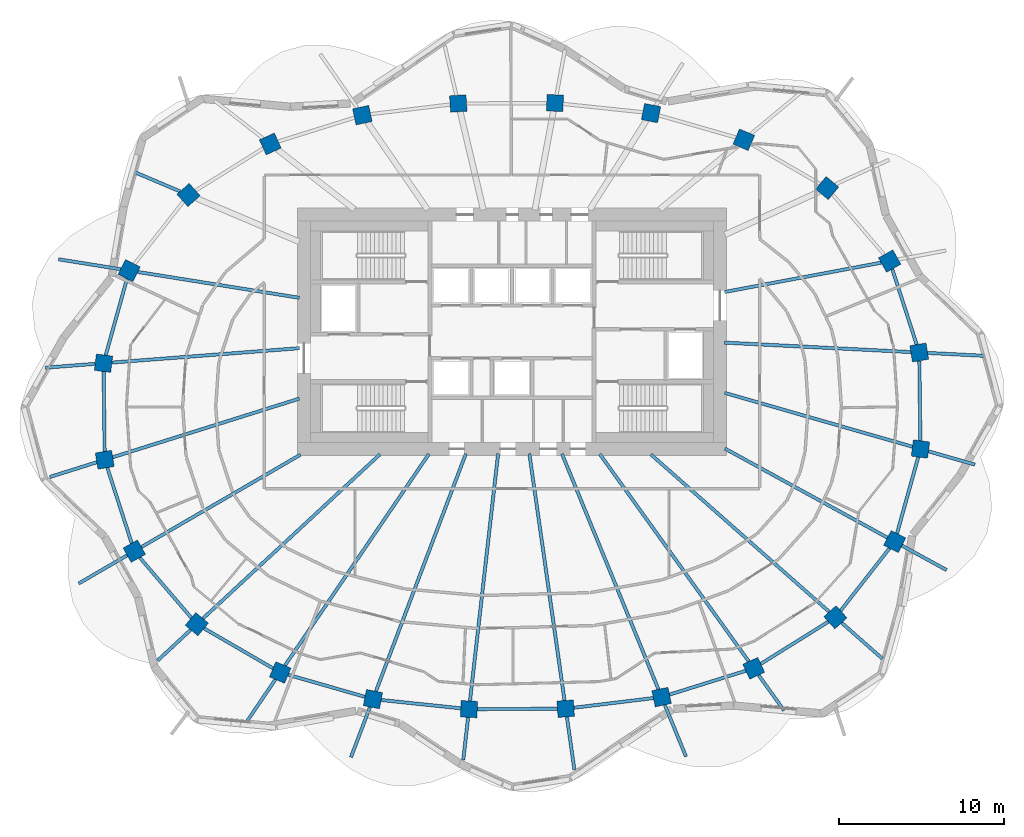
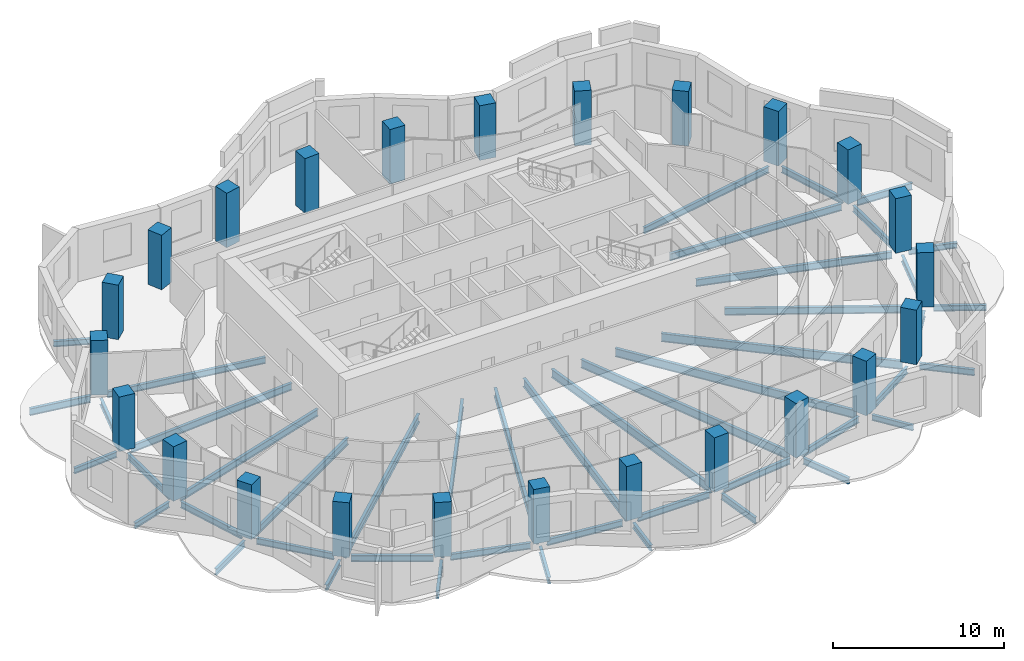
# One storey, part 1 of 11: 47 beams, 24 columns.
"""IFC4 building model written with IfcOpenShell, lengths in metres."""

from ifc_helpers import new_model, si_unit, direction, frame, origin, origin_2d, place, context, subcontext, project, spatial, rectangle, i_section, extrude, material, material_profile, profile_set, type_object, element, save


model = new_model("IFC4")

# Units and contexts
model_context = context("Model", 3, precision=1e-05, world=origin(), true_north=direction((0.0, 1.0)))
body_context = subcontext(model_context, "Body", "Model", "MODEL_VIEW")
ifc_project = project(units=[si_unit("LENGTHUNIT", "METRE"), si_unit("AREAUNIT", "SQUARE_METRE"), si_unit("VOLUMEUNIT", "CUBIC_METRE"), si_unit("PLANEANGLEUNIT", "RADIAN"), si_unit("MASSUNIT", "GRAM", prefix="KILO")], contexts=[model_context])

# Site, building, storey
site_placement = place(None, origin())
site = spatial("IfcSite", under=ifc_project, at=site_placement, CompositionType="ELEMENT")
building_placement = place(site_placement, origin())
building = spatial("IfcBuilding", under=site, at=building_placement, Name="Rubra Terraces Tower", CompositionType="ELEMENT")
storey_placement = place(building_placement, frame((0.0, 0.0, 185.699951171875)))
storey = spatial("IfcBuildingStorey", under=building, at=storey_placement, Name="L45", CompositionType="ELEMENT", Elevation=185.699951171875)

# Columns
ifc_material_1 = material(Name="Concrete C50", Category="concrete")
ifc_material_profile_1 = material_profile(ifc_material_1, rectangle(XDim=1.0, YDim=1.0, at=origin_2d()), Name="RC 1000x1000")
ifc_profile_set_1 = profile_set([ifc_material_profile_1], Name="Concrete C50")
column_type = type_object("IfcColumnType", Name="RING COLUMN RC 1000x1000 C50", PredefinedType="COLUMN", material=ifc_profile_set_1)
for number, where, z_axis, x_axis, name in (
    (1, (24.6689453125, 3.248046875, 0.0), (0.0, 0.0, 1.0), (-0.161559167715, 0.986863027642, 0.0), "column-L45-ring-01"),
    (2, (22.87890625, 8.787109375, 0.0), (0.0, 0.0, 1.0), (-0.48852601316, 0.872549330678, 0.0), "column-L45-ring-02"),
    (3, (19.092041015625, 13.208984375, 0.0), (0.0, 0.0, 1.0), (-0.76886986222, 0.63940529789, 0.0), "column-L45-ring-03"),
    (4, (14.0419921875, 16.135986328125, 0.0), (0.0, 0.0, 1.0), (-0.920167856842, 0.391524092789, 0.0), "column-L45-ring-04"),
    (5, (8.422119140625, 17.7490234375, 0.0), (0.0, 0.0, 1.0), (-0.981654668733, 0.19066754143, 0.0), "column-L45-ring-05"),
    (6, (2.60205078125, 18.35791015625, 0.0), (0.0, 0.0, 1.0), (-0.998764256028, 0.049698700995, 0.0), "column-L45-ring-06"),
    (7, (-3.25390625, 18.330078125, 0.0), (0.0, 0.0, 1.0), (-0.998031548759, -0.062713855578, 0.0), "column-L45-ring-07"),
    (8, (-9.06298828125, 17.625, 0.0), (0.0, 0.0, 1.0), (-0.977652674797, -0.210226657352, 0.0), "column-L45-ring-08"),
    (9, (-14.64306640625, 15.881103515625, 0.0), (0.0, 0.0, 1.0), (-0.908778580451, -0.417278673927, 0.0), "column-L45-ring-09"),
    (10, (-19.593017578125, 12.7900390625, 0.0), (0.0, 0.0, 1.0), (-0.744021317198, -0.668155879683, 0.0), "column-L45-ring-10"),
    (11, (-23.18505859375, 8.2099609375, 0.0), (0.0, 0.0, 1.0), (-0.451027931402, -0.892509834733, 0.0), "column-L45-ring-11"),
    (12, (-24.742919921875, 2.59912109375, 0.0), (0.0, 0.0, 1.0), (-0.128443684554, -0.991716804283, 0.0), "column-L45-ring-12"),
    (13, (-24.6689453125, -3.248046875, 0.0), (0.0, 0.0, 1.0), (0.161559167715, -0.986863027642, 0.0), "column-L45-ring-13"),
    (14, (-22.87890625, -8.787109375, 0.0), (0.0, 0.0, 1.0), (0.48852601316, -0.872549330678, 0.0), "column-L45-ring-14"),
    (15, (-19.092041015625, -13.208984375, 0.0), (0.0, 0.0, 1.0), (0.76886986222, -0.63940529789, 0.0), "column-L45-ring-15"),
    (16, (-14.0419921875, -16.135986328125, 0.0), (0.0, 0.0, 1.0), (0.920167856842, -0.391524092789, 0.0), "column-L45-ring-16"),
    (17, (-8.422119140625, -17.7490234375, 0.0), (0.0, 0.0, 1.0), (0.981654668733, -0.19066754143, 0.0), "column-L45-ring-17"),
    (18, (-2.60205078125, -18.35791015625, 0.0), (0.0, 0.0, 1.0), (0.998764256028, -0.049698700995, 0.0), "column-L45-ring-18"),
    (19, (3.25390625, -18.330078125, 0.0), (0.0, 0.0, 1.0), (0.998031548759, 0.062713855578, 0.0), "column-L45-ring-19"),
    (20, (9.06298828125, -17.625, 0.0), (0.0, 0.0, 1.0), (0.977652674797, 0.210226657352, 0.0), "column-L45-ring-20"),
    (21, (14.64306640625, -15.881103515625, 0.0), (0.0, 0.0, 1.0), (0.908778580451, 0.417278673927, 0.0), "column-L45-ring-21"),
    (22, (19.593017578125, -12.7900390625, 0.0), (0.0, 0.0, 1.0), (0.744021317198, 0.668155879683, 0.0), "column-L45-ring-22"),
    (23, (23.18505859375, -8.2099609375, 0.0), (0.0, 0.0, 1.0), (0.451027931402, 0.892509834733, 0.0), "column-L45-ring-23"),
    (24, (24.742919921875, -2.59912109375, 0.0), (0.0, 0.0, 1.0), (0.128443684554, 0.991716804283, 0.0), "column-L45-ring-24"),
):
    element("IfcColumn", number, at=place(storey_placement, frame(where, z_axis=z_axis, x_axis=x_axis)), inside=storey, type_object=column_type, Name=name, PredefinedType="COLUMN", context=body_context, shape_type="SweptSolid", body=[
        extrude(rectangle(XDim=1.0, YDim=1.0, at=origin_2d()), origin(), (0.0, 0.0, 1.0), 3.900146484375),
    ])

# Beams
ifc_material_2 = material(Name="Steel Q355B", Category="steel")
ifc_material_profile_2 = material_profile(ifc_material_2, i_section(OverallWidth=0.199951171875, OverallDepth=0.39990234375, WebThickness=0.008056640625, FlangeThickness=0.012939453125, at=origin_2d()), Name="HN 400x200x8x13")
ifc_profile_set_2 = profile_set([ifc_material_profile_2], Name="Steel Q355B")
beam_type_1 = type_object("IfcBeamType", Name="CANTILEVER BEAM HN 400x200x8x13", PredefinedType="BEAM", material=ifc_profile_set_2)
beam_1_placement = place(storey_placement, frame((-20.10205078125, 13.0048828125, -0.39990234375), z_axis=(-0.920868185487, 0.389874062946, 0.0), x_axis=(-0.389874062946, -0.920868185487, 0.0)))
element("IfcBeam", 25, at=beam_1_placement, inside=storey, type_object=beam_type_1, Name="beam-L45-cant-10", PredefinedType="BEAM", context=body_context, shape_type="SweptSolid", body=[
    extrude(i_section(OverallWidth=0.199951171875, OverallDepth=0.39990234375, WebThickness=0.008056640625, FlangeThickness=0.012939453125, at=origin_2d()), origin(), (0.0, 0.0, 1.0), 2.9599609375),
])
beam_2_placement = place(storey_placement, frame((-25.251953125, 2.56005859375, -0.39990234375), z_axis=(-0.997072601127, -0.076460630923, 0.0), x_axis=(0.076460630923, -0.997072601127, 0.0)))
element("IfcBeam", 26, at=beam_2_placement, inside=storey, type_object=beam_type_1, Name="beam-L45-cant-12", PredefinedType="BEAM", context=body_context, shape_type="SweptSolid", body=[
    extrude(i_section(OverallWidth=0.199951171875, OverallDepth=0.39990234375, WebThickness=0.008056640625, FlangeThickness=0.012939453125, at=origin_2d()), origin(), (0.0, 0.0, 1.0), 3.0078125),
])
beam_3_placement = place(storey_placement, frame((-25.15087890625, -3.39892578125, -0.39990234375), z_axis=(-0.953969672144, -0.299903092065, 0.0), x_axis=(0.299903092065, -0.953969672144, 0.0)))
element("IfcBeam", 27, at=beam_3_placement, inside=storey, type_object=beam_type_1, Name="beam-L45-cant-13", PredefinedType="BEAM", context=body_context, shape_type="SweptSolid", body=[
    extrude(i_section(OverallWidth=0.199951171875, OverallDepth=0.39990234375, WebThickness=0.008056640625, FlangeThickness=0.012939453125, at=origin_2d()), origin(), (0.0, 0.0, 1.0), 2.987548828125),
])
beam_4_placement = place(storey_placement, frame((-19.4619140625, -13.552001953125, -0.39990234375), z_axis=(-0.733087511933, -0.680134324856, 0.0), x_axis=(0.680134324856, -0.733087511933, 0.0)))
element("IfcBeam", 28, at=beam_4_placement, inside=storey, type_object=beam_type_1, Name="beam-L45-cant-15", PredefinedType="BEAM", context=body_context, shape_type="SweptSolid", body=[
    extrude(i_section(OverallWidth=0.199951171875, OverallDepth=0.39990234375, WebThickness=0.008056640625, FlangeThickness=0.012939453125, at=origin_2d()), origin(), (0.0, 0.0, 1.0), 2.72021484375),
])
beam_5_placement = place(storey_placement, frame((-2.658935546875, -18.85595703125, -0.39990234375), z_axis=(-0.112971150219, -0.993598268526, 0.0), x_axis=(0.993598268526, -0.112971150219, 0.0)))
element("IfcBeam", 29, at=beam_5_placement, inside=storey, type_object=beam_type_1, Name="beam-L45-cant-18", PredefinedType="BEAM", context=body_context, shape_type="SweptSolid", body=[
    extrude(i_section(OverallWidth=0.199951171875, OverallDepth=0.39990234375, WebThickness=0.008056640625, FlangeThickness=0.012939453125, at=origin_2d()), origin(), (0.0, 0.0, 1.0), 2.584716796875),
])
beam_6_placement = place(storey_placement, frame((14.93994140625, -16.294921875, -0.39990234375), z_axis=(0.583494905514, -0.812116799013, 0.0), x_axis=(0.812116799013, 0.583494905514, 0.0)))
element("IfcBeam", 30, at=beam_6_placement, inside=storey, type_object=beam_type_1, Name="beam-L45-cant-21", PredefinedType="BEAM", context=body_context, shape_type="SweptSolid", body=[
    extrude(i_section(OverallWidth=0.199951171875, OverallDepth=0.39990234375, WebThickness=0.008056640625, FlangeThickness=0.012939453125, at=origin_2d()), origin(), (0.0, 0.0, 1.0), 2.6376953125),
])
beam_7_placement = place(storey_placement, frame((23.6240234375, -8.449951171875, -0.39990234375), z_axis=(0.876753057926, -0.480940823197, 0.0), x_axis=(0.480940823197, 0.876753057926, 0.0)))
element("IfcBeam", 31, at=beam_7_placement, inside=storey, type_object=beam_type_1, Name="beam-L45-cant-23", PredefinedType="BEAM", context=body_context, shape_type="SweptSolid", body=[
    extrude(i_section(OverallWidth=0.199951171875, OverallDepth=0.39990234375, WebThickness=0.008056640625, FlangeThickness=0.012939453125, at=origin_2d()), origin(), (0.0, 0.0, 1.0), 3.0771484375),
])
beam_8_placement = place(storey_placement, frame((25.22900390625, -2.738037109375, -0.39990234375), z_axis=(0.961211560692, -0.275812138226, 0.0), x_axis=(0.275812138226, 0.961211560692, 0.0)))
element("IfcBeam", 32, at=beam_8_placement, inside=storey, type_object=beam_type_1, Name="beam-L45-cant-24", PredefinedType="BEAM", context=body_context, shape_type="SweptSolid", body=[
    extrude(i_section(OverallWidth=0.199951171875, OverallDepth=0.39990234375, WebThickness=0.008056640625, FlangeThickness=0.012939453125, at=origin_2d()), origin(), (0.0, 0.0, 1.0), 2.925537109375),
])
ifc_material_profile_3 = material_profile(ifc_material_2, i_section(OverallWidth=0.198974609375, OverallDepth=0.446044921875, WebThickness=0.008056640625, FlangeThickness=0.011962890625, at=origin_2d()), Name="HN 446x199x8x12")
ifc_profile_set_3 = profile_set([ifc_material_profile_3], Name="Steel Q355B")
beam_type_2 = type_object("IfcBeamType", Name="CANTILEVER BEAM HN 446x199x8x12", PredefinedType="BEAM", material=ifc_profile_set_3)
beam_9_placement = place(storey_placement, frame((-23.31103515625, -9.0380859375, -0.4228515625), z_axis=(-0.864731547831, -0.50223435783, 0.0), x_axis=(0.50223435783, -0.864731547831, 0.0)))
element("IfcBeam", 33, at=beam_9_placement, inside=storey, type_object=beam_type_2, Name="beam-L45-cant-14", PredefinedType="BEAM", context=body_context, shape_type="SweptSolid", body=[
    extrude(i_section(OverallWidth=0.198974609375, OverallDepth=0.446044921875, WebThickness=0.008056640625, FlangeThickness=0.011962890625, at=origin_2d()), origin(), (0.0, 0.0, 1.0), 3.396484375),
])
beam_10_placement = place(storey_placement, frame((-14.3291015625, -16.556884765625, -0.4228515625), z_axis=(-0.562356236062, -0.826895074215, 0.0), x_axis=(0.826895074215, -0.562356236062, 0.0)))
element("IfcBeam", 34, at=beam_10_placement, inside=storey, type_object=beam_type_2, Name="beam-L45-cant-16", PredefinedType="BEAM", context=body_context, shape_type="SweptSolid", body=[
    extrude(i_section(OverallWidth=0.198974609375, OverallDepth=0.446044921875, WebThickness=0.008056640625, FlangeThickness=0.011962890625, at=origin_2d()), origin(), (0.0, 0.0, 1.0), 3.3232421875),
])
beam_11_placement = place(storey_placement, frame((-8.60205078125, -18.222900390625, -0.4228515625), z_axis=(-0.353886787497, -0.935288266597, 0.0), x_axis=(0.935288266597, -0.353886787497, 0.0)))
element("IfcBeam", 35, at=beam_11_placement, inside=storey, type_object=beam_type_2, Name="beam-L45-cant-17", PredefinedType="BEAM", context=body_context, shape_type="SweptSolid", body=[
    extrude(i_section(OverallWidth=0.198974609375, OverallDepth=0.446044921875, WebThickness=0.008056640625, FlangeThickness=0.011962890625, at=origin_2d()), origin(), (0.0, 0.0, 1.0), 3.260986328125),
])
beam_12_placement = place(storey_placement, frame((3.324951171875, -18.826904296875, -0.4228515625), z_axis=(0.141017135848, -0.990007155225, 0.0), x_axis=(0.990007155225, 0.141017135848, 0.0)))
element("IfcBeam", 36, at=beam_12_placement, inside=storey, type_object=beam_type_2, Name="beam-L45-cant-19", PredefinedType="BEAM", context=body_context, shape_type="SweptSolid", body=[
    extrude(i_section(OverallWidth=0.198974609375, OverallDepth=0.446044921875, WebThickness=0.008056640625, FlangeThickness=0.011962890625, at=origin_2d()), origin(), (0.0, 0.0, 1.0), 3.21337890625),
])
beam_13_placement = place(storey_placement, frame((9.256103515625, -18.094970703125, -0.4228515625), z_axis=(0.378957804719, -0.925413951831, 0.0), x_axis=(0.925413951831, 0.378957804719, 0.0)))
element("IfcBeam", 37, at=beam_13_placement, inside=storey, type_object=beam_type_2, Name="beam-L45-cant-20", PredefinedType="BEAM", context=body_context, shape_type="SweptSolid", body=[
    extrude(i_section(OverallWidth=0.198974609375, OverallDepth=0.446044921875, WebThickness=0.008056640625, FlangeThickness=0.011962890625, at=origin_2d()), origin(), (0.0, 0.0, 1.0), 3.393310546875),
])
beam_14_placement = place(storey_placement, frame((19.969970703125, -13.123046875, -0.4228515625), z_axis=(0.749902745466, -0.661548087702, 0.0), x_axis=(0.661548087702, 0.749902745466, 0.0)))
element("IfcBeam", 38, at=beam_14_placement, inside=storey, type_object=beam_type_2, Name="beam-L45-cant-22", PredefinedType="BEAM", context=body_context, shape_type="SweptSolid", body=[
    extrude(i_section(OverallWidth=0.198974609375, OverallDepth=0.446044921875, WebThickness=0.008056640625, FlangeThickness=0.011962890625, at=origin_2d()), origin(), (0.0, 0.0, 1.0), 3.293701171875),
])
ifc_material_profile_4 = material_profile(ifc_material_2, i_section(OverallWidth=0.198974609375, OverallDepth=0.49609375, WebThickness=0.009033203125, FlangeThickness=0.013916015625, at=origin_2d()), Name="HN 496x199x9x14")
ifc_profile_set_4 = profile_set([ifc_material_profile_4], Name="Steel Q355B")
beam_type_3 = type_object("IfcBeamType", Name="CANTILEVER BEAM HN 496x199x9x14", PredefinedType="BEAM", material=ifc_profile_set_4)
beam_15_placement = place(storey_placement, frame((25.179931640625, 3.221923828125, -0.447998046875), z_axis=(0.998713760082, -0.050703307804, 0.0), x_axis=(0.050703307804, 0.998713760082, 0.0)))
element("IfcBeam", 39, at=beam_15_placement, inside=storey, type_object=beam_type_3, Name="beam-L45-cant-01", PredefinedType="BEAM", context=body_context, shape_type="SweptSolid", body=[
    extrude(i_section(OverallWidth=0.198974609375, OverallDepth=0.49609375, WebThickness=0.009033203125, FlangeThickness=0.013916015625, at=origin_2d()), origin(), (0.0, 0.0, 1.0), 3.625732421875),
])
beam_16_placement = place(storey_placement, frame((-23.702880859375, 8.29296875, -0.447998046875), z_axis=(-0.98745581053, 0.157895605548, 0.0), x_axis=(-0.157895605548, -0.98745581053, 0.0)))
element("IfcBeam", 40, at=beam_16_placement, inside=storey, type_object=beam_type_3, Name="beam-L45-cant-11", PredefinedType="BEAM", context=body_context, shape_type="SweptSolid", body=[
    extrude(i_section(OverallWidth=0.198974609375, OverallDepth=0.49609375, WebThickness=0.009033203125, FlangeThickness=0.013916015625, at=origin_2d()), origin(), (0.0, 0.0, 1.0), 3.81298828125),
])
ifc_material_profile_5 = material_profile(ifc_material_2, i_section(OverallWidth=0.198974609375, OverallDepth=0.446044921875, WebThickness=0.008056640625, FlangeThickness=0.011962890625, at=origin_2d()), Name="HN 446x199x8x12")
ifc_profile_set_5 = profile_set([ifc_material_profile_5], Name="Steel Q355B")
beam_type_4 = type_object("IfcBeamType", Name="FLOOR BEAM HN 446x199x8x12", PredefinedType="BEAM", material=ifc_profile_set_5)
beam_17_placement = place(storey_placement, frame((22.360107421875, 8.68994140625, -0.4228515625), z_axis=(-0.982895681695, -0.18416318553, 0.0), x_axis=(0.18416318553, -0.982895681695, 0.0)))
element("IfcBeam", 41, at=beam_17_placement, inside=storey, type_object=beam_type_4, Name="beam-L45-floor-02", PredefinedType="BEAM", context=body_context, shape_type="SweptSolid", body=[
    extrude(i_section(OverallWidth=0.198974609375, OverallDepth=0.446044921875, WebThickness=0.008056640625, FlangeThickness=0.011962890625, at=origin_2d()), origin(), (0.0, 0.0, 1.0), 9.64306640625),
])
beam_18_placement = place(storey_placement, frame((-22.6669921875, 8.126953125, -0.4228515625), z_axis=(0.987435404133, -0.158023171289, 0.0), x_axis=(0.158023171289, 0.987435404133, 0.0)))
element("IfcBeam", 42, at=beam_18_placement, inside=storey, type_object=beam_type_4, Name="beam-L45-floor-11", PredefinedType="BEAM", context=body_context, shape_type="SweptSolid", body=[
    extrude(i_section(OverallWidth=0.198974609375, OverallDepth=0.446044921875, WebThickness=0.008056640625, FlangeThickness=0.011962890625, at=origin_2d()), origin(), (0.0, 0.0, 1.0), 9.909423828125),
])
ifc_material_profile_6 = material_profile(ifc_material_2, i_section(OverallWidth=0.198974609375, OverallDepth=0.49609375, WebThickness=0.009033203125, FlangeThickness=0.013916015625, at=origin_2d()), Name="HN 496x199x9x14")
ifc_profile_set_6 = profile_set([ifc_material_profile_6], Name="Steel Q355B")
beam_type_5 = type_object("IfcBeamType", Name="FLOOR BEAM HN 496x199x9x14", PredefinedType="BEAM", material=ifc_profile_set_6)
beam_19_placement = place(storey_placement, frame((24.157958984375, 3.27392578125, -0.447998046875), z_axis=(-0.998716228561, 0.050654662269, 0.0), x_axis=(-0.050654662269, -0.998716228561, 0.0)))
element("IfcBeam", 43, at=beam_19_placement, inside=storey, type_object=beam_type_5, Name="beam-L45-floor-01", PredefinedType="BEAM", context=body_context, shape_type="SweptSolid", body=[
    extrude(i_section(OverallWidth=0.198974609375, OverallDepth=0.49609375, WebThickness=0.009033203125, FlangeThickness=0.013916015625, at=origin_2d()), origin(), (0.0, 0.0, 1.0), 11.29248046875),
])
beam_20_placement = place(storey_placement, frame((-24.23388671875, 2.637939453125, -0.447998046875), z_axis=(0.997063306908, 0.076581734234, 0.0), x_axis=(-0.076581734234, 0.997063306908, 0.0)))
element("IfcBeam", 44, at=beam_20_placement, inside=storey, type_object=beam_type_5, Name="beam-L45-floor-12", PredefinedType="BEAM", context=body_context, shape_type="SweptSolid", body=[
    extrude(i_section(OverallWidth=0.198974609375, OverallDepth=0.49609375, WebThickness=0.009033203125, FlangeThickness=0.013916015625, at=origin_2d()), origin(), (0.0, 0.0, 1.0), 11.387451171875),
])
beam_21_placement = place(storey_placement, frame((-24.18701171875, -3.096923828125, -0.447998046875), z_axis=(0.954040699023, 0.299677067204, 0.0), x_axis=(-0.299677067204, 0.954040699023, 0.0)))
element("IfcBeam", 45, at=beam_21_placement, inside=storey, type_object=beam_type_5, Name="beam-L45-floor-13", PredefinedType="BEAM", context=body_context, shape_type="SweptSolid", body=[
    extrude(i_section(OverallWidth=0.198974609375, OverallDepth=0.49609375, WebThickness=0.009033203125, FlangeThickness=0.013916015625, at=origin_2d()), origin(), (0.0, 0.0, 1.0), 11.845458984375),
])
beam_22_placement = place(storey_placement, frame((-22.447021484375, -8.535888671875, -0.447998046875), z_axis=(0.864755491844, 0.502193129508, 0.0), x_axis=(-0.502193129508, 0.864755491844, 0.0)))
element("IfcBeam", 46, at=beam_22_placement, inside=storey, type_object=beam_type_5, Name="beam-L45-floor-14", PredefinedType="BEAM", context=body_context, shape_type="SweptSolid", body=[
    extrude(i_section(OverallWidth=0.198974609375, OverallDepth=0.49609375, WebThickness=0.009033203125, FlangeThickness=0.013916015625, at=origin_2d()), origin(), (0.0, 0.0, 1.0), 11.14306640625),
])
beam_23_placement = place(storey_placement, frame((22.74609375, -7.969970703125, -0.447998046875), z_axis=(-0.876862055903, 0.480742066932, 0.0), x_axis=(-0.480742066932, -0.876862055903, 0.0)))
element("IfcBeam", 47, at=beam_23_placement, inside=storey, type_object=beam_type_5, Name="beam-L45-floor-23", PredefinedType="BEAM", context=body_context, shape_type="SweptSolid", body=[
    extrude(i_section(OverallWidth=0.198974609375, OverallDepth=0.49609375, WebThickness=0.009033203125, FlangeThickness=0.013916015625, at=origin_2d()), origin(), (0.0, 0.0, 1.0), 11.234375),
])
beam_24_placement = place(storey_placement, frame((24.257080078125, -2.4599609375, -0.447998046875), z_axis=(-0.961215754667, 0.275797521707, 0.0), x_axis=(-0.275797521707, -0.961215754667, 0.0)))
element("IfcBeam", 48, at=beam_24_placement, inside=storey, type_object=beam_type_5, Name="beam-L45-floor-24", PredefinedType="BEAM", context=body_context, shape_type="SweptSolid", body=[
    extrude(i_section(OverallWidth=0.198974609375, OverallDepth=0.49609375, WebThickness=0.009033203125, FlangeThickness=0.013916015625, at=origin_2d()), origin(), (0.0, 0.0, 1.0), 11.830810546875),
])
ifc_material_profile_7 = material_profile(ifc_material_2, i_section(OverallWidth=0.198974609375, OverallDepth=0.595947265625, WebThickness=0.010009765625, FlangeThickness=0.014892578125, at=origin_2d()), Name="HN 596x199x10x15")
ifc_profile_set_7 = profile_set([ifc_material_profile_7], Name="Steel Q355B")
beam_type_6 = type_object("IfcBeamType", Name="FLOOR BEAM HN 596x199x10x15", PredefinedType="BEAM", material=ifc_profile_set_7)
beam_25_placement = place(storey_placement, frame((-18.721923828125, -12.865966796875, -0.498046875), z_axis=(0.733130458484, 0.680088031687, 0.0), x_axis=(-0.680088031687, 0.733130458484, 0.0)))
element("IfcBeam", 49, at=beam_25_placement, inside=storey, type_object=beam_type_6, Name="beam-L45-floor-15", PredefinedType="BEAM", context=body_context, shape_type="SweptSolid", body=[
    extrude(i_section(OverallWidth=0.198974609375, OverallDepth=0.595947265625, WebThickness=0.010009765625, FlangeThickness=0.014892578125, at=origin_2d()), origin(), (0.0, 0.0, 1.0), 14.62744140625),
])
beam_26_placement = place(storey_placement, frame((-13.7548828125, -15.715087890625, -0.498046875), z_axis=(0.562545242124, 0.826766503049, 0.0), x_axis=(-0.826766503049, 0.562545242124, 0.0)))
element("IfcBeam", 50, at=beam_26_placement, inside=storey, type_object=beam_type_6, Name="beam-L45-floor-16", PredefinedType="BEAM", context=body_context, shape_type="SweptSolid", body=[
    extrude(i_section(OverallWidth=0.198974609375, OverallDepth=0.595947265625, WebThickness=0.010009765625, FlangeThickness=0.014892578125, at=origin_2d()), origin(), (0.0, 0.0, 1.0), 15.499267578125),
])
beam_27_placement = place(storey_placement, frame((-8.241943359375, -17.27490234375, -0.498046875), z_axis=(0.353955134415, 0.93526240319, 0.0), x_axis=(-0.93526240319, 0.353955134415, 0.0)))
element("IfcBeam", 51, at=beam_27_placement, inside=storey, type_object=beam_type_6, Name="beam-L45-floor-17", PredefinedType="BEAM", context=body_context, shape_type="SweptSolid", body=[
    extrude(i_section(OverallWidth=0.198974609375, OverallDepth=0.595947265625, WebThickness=0.010009765625, FlangeThickness=0.014892578125, at=origin_2d()), origin(), (0.0, 0.0, 1.0), 15.3828125),
])
beam_28_placement = place(storey_placement, frame((-2.544921875, -17.860107421875, -0.498046875), z_axis=(0.113084825914, 0.993585337124, 0.0), x_axis=(-0.993585337124, 0.113084825914, 0.0)))
element("IfcBeam", 52, at=beam_28_placement, inside=storey, type_object=beam_type_6, Name="beam-L45-floor-18", PredefinedType="BEAM", context=body_context, shape_type="SweptSolid", body=[
    extrude(i_section(OverallWidth=0.198974609375, OverallDepth=0.595947265625, WebThickness=0.010009765625, FlangeThickness=0.014892578125, at=origin_2d()), origin(), (0.0, 0.0, 1.0), 15.07568359375),
])
beam_29_placement = place(storey_placement, frame((3.18310546875, -17.8330078125, -0.498046875), z_axis=(-0.141104514479, 0.989994705033, 0.0), x_axis=(-0.989994705033, -0.141104514479, 0.0)))
element("IfcBeam", 53, at=beam_29_placement, inside=storey, type_object=beam_type_6, Name="beam-L45-floor-19", PredefinedType="BEAM", context=body_context, shape_type="SweptSolid", body=[
    extrude(i_section(OverallWidth=0.198974609375, OverallDepth=0.595947265625, WebThickness=0.010009765625, FlangeThickness=0.014892578125, at=origin_2d()), origin(), (0.0, 0.0, 1.0), 15.10302734375),
])
beam_30_placement = place(storey_placement, frame((8.8701171875, -17.155029296875, -0.498046875), z_axis=(-0.379015131933, 0.925390474214, 0.0), x_axis=(-0.925390474214, -0.379015131933, 0.0)))
element("IfcBeam", 54, at=beam_30_placement, inside=storey, type_object=beam_type_6, Name="beam-L45-floor-20", PredefinedType="BEAM", context=body_context, shape_type="SweptSolid", body=[
    extrude(i_section(OverallWidth=0.198974609375, OverallDepth=0.595947265625, WebThickness=0.010009765625, FlangeThickness=0.014892578125, at=origin_2d()), origin(), (0.0, 0.0, 1.0), 15.416259765625),
])
beam_31_placement = place(storey_placement, frame((14.345947265625, -15.467041015625, -0.498046875), z_axis=(-0.583528740197, 0.812092488183, 0.0), x_axis=(-0.812092488183, -0.583528740197, 0.0)))
element("IfcBeam", 55, at=beam_31_placement, inside=storey, type_object=beam_type_6, Name="beam-L45-floor-21", PredefinedType="BEAM", context=body_context, shape_type="SweptSolid", body=[
    extrude(i_section(OverallWidth=0.198974609375, OverallDepth=0.595947265625, WebThickness=0.010009765625, FlangeThickness=0.014892578125, at=origin_2d()), origin(), (0.0, 0.0, 1.0), 15.47119140625),
])
beam_32_placement = place(storey_placement, frame((19.216064453125, -12.45703125, -0.498046875), z_axis=(-0.749823025288, 0.661638444128, 0.0), x_axis=(-0.661638444128, -0.749823025288, 0.0)))
element("IfcBeam", 56, at=beam_32_placement, inside=storey, type_object=beam_type_6, Name="beam-L45-floor-22", PredefinedType="BEAM", context=body_context, shape_type="SweptSolid", body=[
    extrude(i_section(OverallWidth=0.198974609375, OverallDepth=0.595947265625, WebThickness=0.010009765625, FlangeThickness=0.014892578125, at=origin_2d()), origin(), (0.0, 0.0, 1.0), 14.412841796875),
])
ifc_material_profile_8 = material_profile(ifc_material_2, i_section(OverallWidth=0.198974609375, OverallDepth=0.446044921875, WebThickness=0.008056640625, FlangeThickness=0.011962890625, at=origin_2d()), Name="HN 446x199x8x12")
ifc_profile_set_8 = profile_set([ifc_material_profile_8], Name="Steel Q355B")
beam_type_7 = type_object("IfcBeamType", Name="SPANDREL BEAM HN 446x199x8x12", PredefinedType="SPANDREL", material=ifc_profile_set_8)
beam_33_placement = place(storey_placement, frame((24.512939453125, 3.72900390625, -0.4228515625), z_axis=(-0.307359002872, 0.951593633519, 0.0), x_axis=(-0.951593633519, -0.307359002872, 0.0)))
element("IfcBeam", 57, at=beam_33_placement, inside=storey, type_object=beam_type_7, Name="beam-L45-spandrel-01", PredefinedType="SPANDREL", context=body_context, shape_type="SweptSolid", body=[
    extrude(i_section(OverallWidth=0.198974609375, OverallDepth=0.446044921875, WebThickness=0.008056640625, FlangeThickness=0.011962890625, at=origin_2d()), origin(), (0.0, 0.0, 1.0), 4.8056640625),
])
beam_34_placement = place(storey_placement, frame((-23.321044921875, 7.718994140625, -0.4228515625), z_axis=(-0.267625533012, -0.963523001324, 0.0), x_axis=(0.963523001324, -0.267625533012, 0.0)))
element("IfcBeam", 58, at=beam_34_placement, inside=storey, type_object=beam_type_7, Name="beam-L45-spandrel-11", PredefinedType="SPANDREL", context=body_context, shape_type="SweptSolid", body=[
    extrude(i_section(OverallWidth=0.198974609375, OverallDepth=0.446044921875, WebThickness=0.008056640625, FlangeThickness=0.011962890625, at=origin_2d()), origin(), (0.0, 0.0, 1.0), 4.808349609375),
])
beam_35_placement = place(storey_placement, frame((-24.737060546875, 2.093994140625, -0.4228515625), z_axis=(0.012822047643, -0.999917794168, 0.0), x_axis=(0.999917794168, 0.012822047643, 0.0)))
element("IfcBeam", 59, at=beam_35_placement, inside=storey, type_object=beam_type_7, Name="beam-L45-spandrel-12", PredefinedType="SPANDREL", context=body_context, shape_type="SweptSolid", body=[
    extrude(i_section(OverallWidth=0.198974609375, OverallDepth=0.446044921875, WebThickness=0.008056640625, FlangeThickness=0.011962890625, at=origin_2d()), origin(), (0.0, 0.0, 1.0), 4.83642578125),
])
beam_36_placement = place(storey_placement, frame((-24.512939453125, -3.72900390625, -0.4228515625), z_axis=(0.307359002872, -0.951593633519, 0.0), x_axis=(0.951593633519, 0.307359002872, 0.0)))
element("IfcBeam", 60, at=beam_36_placement, inside=storey, type_object=beam_type_7, Name="beam-L45-spandrel-13", PredefinedType="SPANDREL", context=body_context, shape_type="SweptSolid", body=[
    extrude(i_section(OverallWidth=0.198974609375, OverallDepth=0.446044921875, WebThickness=0.008056640625, FlangeThickness=0.011962890625, at=origin_2d()), origin(), (0.0, 0.0, 1.0), 4.8056640625),
])
beam_37_placement = place(storey_placement, frame((-22.547119140625, -9.174072265625, -0.4228515625), z_axis=(0.650372836218, -0.759615148552, 0.0), x_axis=(0.759615148552, 0.650372836218, 0.0)))
element("IfcBeam", 61, at=beam_37_placement, inside=storey, type_object=beam_type_7, Name="beam-L45-spandrel-14", PredefinedType="SPANDREL", context=body_context, shape_type="SweptSolid", body=[
    extrude(i_section(OverallWidth=0.198974609375, OverallDepth=0.446044921875, WebThickness=0.008056640625, FlangeThickness=0.011962890625, at=origin_2d()), origin(), (0.0, 0.0, 1.0), 4.804931640625),
])
beam_38_placement = place(storey_placement, frame((-18.653076171875, -13.462890625, -0.4228515625), z_axis=(0.865153680787, -0.501506838059, 0.0), x_axis=(0.501506838059, 0.865153680787, 0.0)))
element("IfcBeam", 62, at=beam_38_placement, inside=storey, type_object=beam_type_7, Name="beam-L45-spandrel-15", PredefinedType="SPANDREL", context=body_context, shape_type="SweptSolid", body=[
    extrude(i_section(OverallWidth=0.198974609375, OverallDepth=0.446044921875, WebThickness=0.008056640625, FlangeThickness=0.011962890625, at=origin_2d()), origin(), (0.0, 0.0, 1.0), 4.82568359375),
])
beam_39_placement = place(storey_placement, frame((-13.55810546875, -16.27490234375, -0.4228515625), z_axis=(0.961171164323, -0.275952881621, 0.0), x_axis=(0.275952881621, 0.961171164323, 0.0)))
element("IfcBeam", 63, at=beam_39_placement, inside=storey, type_object=beam_type_7, Name="beam-L45-spandrel-16", PredefinedType="SPANDREL", context=body_context, shape_type="SweptSolid", body=[
    extrude(i_section(OverallWidth=0.198974609375, OverallDepth=0.446044921875, WebThickness=0.008056640625, FlangeThickness=0.011962890625, at=origin_2d()), origin(), (0.0, 0.0, 1.0), 4.842041015625),
])
beam_40_placement = place(storey_placement, frame((-7.923095703125, -17.801025390625, -0.4228515625), z_axis=(0.994565426955, -0.104113454971, 0.0), x_axis=(0.104113454971, 0.994565426955, 0.0)))
element("IfcBeam", 64, at=beam_40_placement, inside=storey, type_object=beam_type_7, Name="beam-L45-spandrel-17", PredefinedType="SPANDREL", context=body_context, shape_type="SweptSolid", body=[
    extrude(i_section(OverallWidth=0.198974609375, OverallDepth=0.446044921875, WebThickness=0.008056640625, FlangeThickness=0.011962890625, at=origin_2d()), origin(), (0.0, 0.0, 1.0), 4.849365234375),
])
beam_41_placement = place(storey_placement, frame((-2.10107421875, -18.35595703125, -0.4228515625), z_axis=(0.999987852299, 0.004929021704, 0.0), x_axis=(-0.004929021704, 0.999987852299, 0.0)))
element("IfcBeam", 65, at=beam_41_placement, inside=storey, type_object=beam_type_7, Name="beam-L45-spandrel-18", PredefinedType="SPANDREL", context=body_context, shape_type="SweptSolid", body=[
    extrude(i_section(OverallWidth=0.198974609375, OverallDepth=0.446044921875, WebThickness=0.008056640625, FlangeThickness=0.011962890625, at=origin_2d()), origin(), (0.0, 0.0, 1.0), 4.85400390625),
])
beam_42_placement = place(storey_placement, frame((3.7509765625, -18.27001953125, -0.4228515625), z_axis=(0.992698018573, 0.120626049929, 0.0), x_axis=(-0.120626049929, 0.992698018573, 0.0)))
element("IfcBeam", 66, at=beam_42_placement, inside=storey, type_object=beam_type_7, Name="beam-L45-spandrel-19", PredefinedType="SPANDREL", context=body_context, shape_type="SweptSolid", body=[
    extrude(i_section(OverallWidth=0.198974609375, OverallDepth=0.446044921875, WebThickness=0.008056640625, FlangeThickness=0.011962890625, at=origin_2d()), origin(), (0.0, 0.0, 1.0), 4.849365234375),
])
beam_43_placement = place(storey_placement, frame((9.5419921875, -17.47509765625, -0.4228515625), z_axis=(0.954462027342, 0.298332429282, 0.0), x_axis=(-0.298332429282, 0.954462027342, 0.0)))
element("IfcBeam", 67, at=beam_43_placement, inside=storey, type_object=beam_type_7, Name="beam-L45-spandrel-20", PredefinedType="SPANDREL", context=body_context, shape_type="SweptSolid", body=[
    extrude(i_section(OverallWidth=0.198974609375, OverallDepth=0.446044921875, WebThickness=0.008056640625, FlangeThickness=0.011962890625, at=origin_2d()), origin(), (0.0, 0.0, 1.0), 4.840576171875),
])
beam_44_placement = place(storey_placement, frame((15.071044921875, -15.614013671875, -0.4228515625), z_axis=(0.848183088492, 0.529703170083, 0.0), x_axis=(-0.529703170083, 0.848183088492, 0.0)))
element("IfcBeam", 68, at=beam_44_placement, inside=storey, type_object=beam_type_7, Name="beam-L45-spandrel-21", PredefinedType="SPANDREL", context=body_context, shape_type="SweptSolid", body=[
    extrude(i_section(OverallWidth=0.198974609375, OverallDepth=0.446044921875, WebThickness=0.008056640625, FlangeThickness=0.011962890625, at=origin_2d()), origin(), (0.0, 0.0, 1.0), 4.8232421875),
])
beam_45_placement = place(storey_placement, frame((19.906005859375, -12.39111328125, -0.4228515625), z_axis=(0.617060338015, 0.786915840004, 0.0), x_axis=(-0.786915840004, 0.617060338015, 0.0)))
element("IfcBeam", 69, at=beam_45_placement, inside=storey, type_object=beam_type_7, Name="beam-L45-spandrel-22", PredefinedType="SPANDREL", context=body_context, shape_type="SweptSolid", body=[
    extrude(i_section(OverallWidth=0.198974609375, OverallDepth=0.446044921875, WebThickness=0.008056640625, FlangeThickness=0.011962890625, at=origin_2d()), origin(), (0.0, 0.0, 1.0), 4.8037109375),
])
beam_46_placement = place(storey_placement, frame((23.321044921875, -7.718994140625, -0.4228515625), z_axis=(0.267625533012, 0.963523001324, 0.0), x_axis=(-0.963523001324, 0.267625533012, 0.0)))
element("IfcBeam", 70, at=beam_46_placement, inside=storey, type_object=beam_type_7, Name="beam-L45-spandrel-23", PredefinedType="SPANDREL", context=body_context, shape_type="SweptSolid", body=[
    extrude(i_section(OverallWidth=0.198974609375, OverallDepth=0.446044921875, WebThickness=0.008056640625, FlangeThickness=0.011962890625, at=origin_2d()), origin(), (0.0, 0.0, 1.0), 4.808349609375),
])
beam_47_placement = place(storey_placement, frame((24.737060546875, -2.093994140625, -0.4228515625), z_axis=(-0.012822047643, 0.999917794168, 0.0), x_axis=(-0.999917794168, -0.012822047643, 0.0)))
element("IfcBeam", 71, at=beam_47_placement, inside=storey, type_object=beam_type_7, Name="beam-L45-spandrel-24", PredefinedType="SPANDREL", context=body_context, shape_type="SweptSolid", body=[
    extrude(i_section(OverallWidth=0.198974609375, OverallDepth=0.446044921875, WebThickness=0.008056640625, FlangeThickness=0.011962890625, at=origin_2d()), origin(), (0.0, 0.0, 1.0), 4.83642578125),
])

save(model, "model.ifc")
